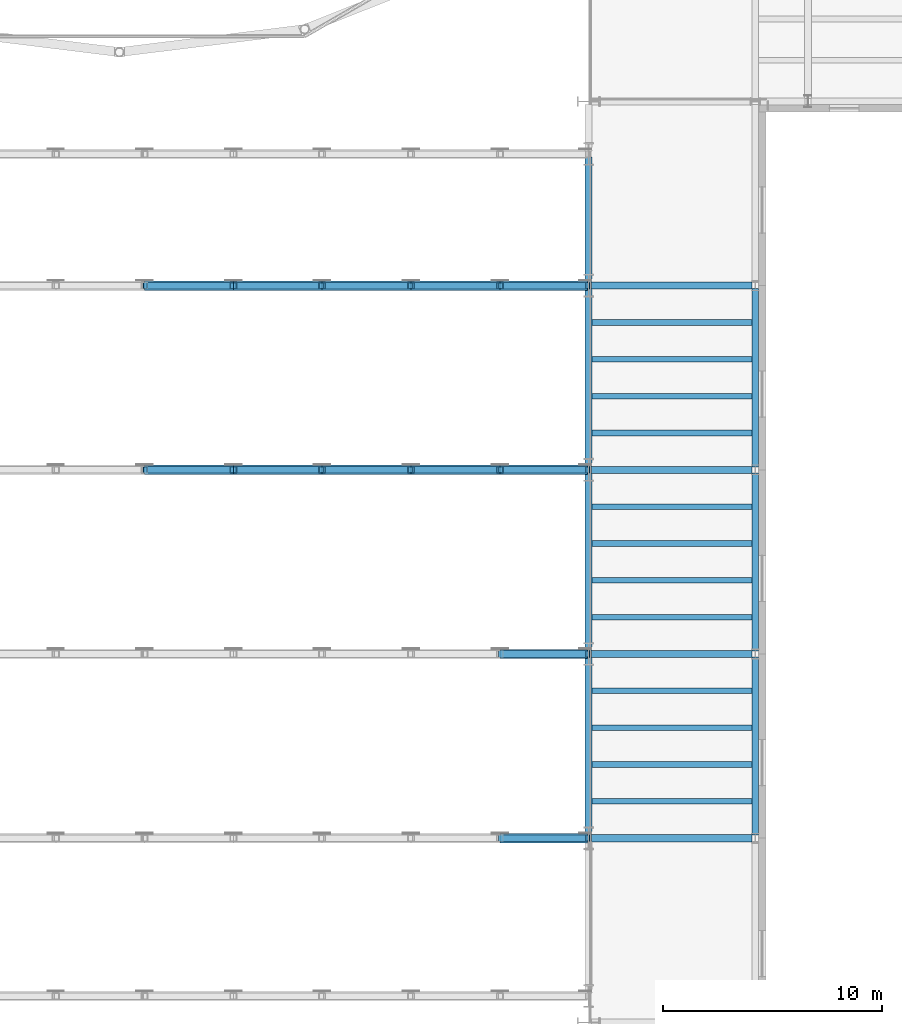
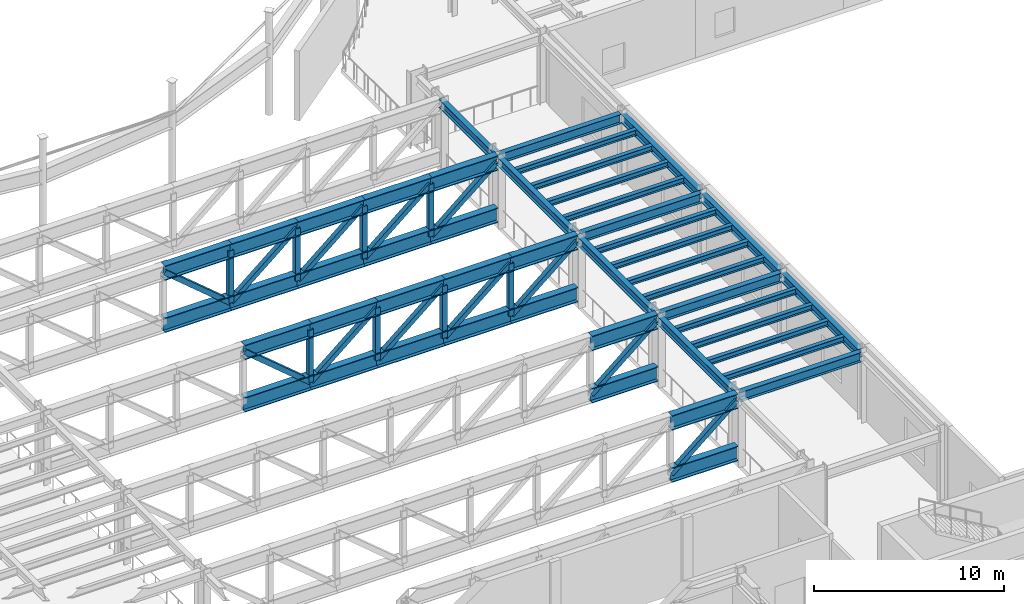
# One storey, part 21 of 91: 47 beams, 20 members.
"""IFC4 building model written with IfcOpenShell, lengths in metres."""

from ifc_helpers import new_model, si_unit, direction, frame, origin, origin_2d, place, context, subcontext, project, spatial, hollow_rectangle, i_section, extrude, material, material_profile, profile_set, type_object, element, save


model = new_model("IFC4")

# Units and contexts
model_context = context("Model", 3, precision=1e-05, world=origin(), true_north=direction((0.0, 1.0)))
body_context = subcontext(model_context, "Body", "Model", "MODEL_VIEW")
ifc_project = project(units=[si_unit("LENGTHUNIT", "METRE"), si_unit("AREAUNIT", "SQUARE_METRE"), si_unit("VOLUMEUNIT", "CUBIC_METRE"), si_unit("PLANEANGLEUNIT", "RADIAN"), si_unit("MASSUNIT", "GRAM", prefix="KILO")], contexts=[model_context])

# Site, building, storey
site_placement = place(None, origin())
site = spatial("IfcSite", under=ifc_project, at=site_placement, CompositionType="ELEMENT")
building_placement = place(site_placement, origin())
building = spatial("IfcBuilding", under=site, at=building_placement, Name="Sollismere Congress Hotel", CompositionType="ELEMENT")
storey_placement = place(building_placement, frame((0.0, 0.0, 10.800048828125)))
storey = spatial("IfcBuildingStorey", under=building, at=storey_placement, Name="L02", CompositionType="ELEMENT", Elevation=10.800048828125)

# Beams
ifc_material_1 = material(Name="Steel ASTM A992 Grade 50", Category="steel")
ifc_material_profile_1 = material_profile(ifc_material_1, i_section(OverallWidth=0.31494140625, OverallDepth=0.551025390625, WebThickness=0.01513671875, FlangeThickness=0.0244140625, at=origin_2d()), Name="W21X122")
ifc_profile_set_1 = profile_set([ifc_material_profile_1], Name="Steel ASTM A992 Grade 50")
beam_type_1 = type_object("IfcBeamType", Name="BM-G21H", PredefinedType="BEAM", material=ifc_profile_set_1)
beam_1_placement = place(storey_placement, frame((50.39990234375, 33.340087890625, 4.224365234375), z_axis=(0.0, 1.0, 0.0), x_axis=(-1.0, 0.0, 0.0)))
element("IfcBeam", 1, at=beam_1_placement, inside=storey, type_object=beam_type_1, Name="Beam BM-L02-2073", PredefinedType="BEAM", context=body_context, shape_type="SweptSolid", body=[
    extrude(i_section(OverallWidth=0.31494140625, OverallDepth=0.551025390625, WebThickness=0.01513671875, FlangeThickness=0.0244140625, at=origin_2d()), origin(), (0.0, 0.0, 1.0), 8.119873046875),
])
for number, where, z_axis, x_axis, name in (
    (2, (50.39990234375, 41.739990234375, 4.224365234375), (0.0, 1.0, 0.0), (-1.0, 0.0, 0.0), "Beam BM-L02-2074"),
    (3, (50.39990234375, 50.139892578125, 4.224365234375), (0.0, 1.0, 0.0), (-1.0, 0.0, 0.0), "Beam BM-L02-2075"),
):
    element("IfcBeam", number, at=place(storey_placement, frame(where, z_axis=z_axis, x_axis=x_axis)), inside=storey, type_object=beam_type_1, Name=name, PredefinedType="BEAM", context=body_context, shape_type="SweptSolid", body=[
        extrude(i_section(OverallWidth=0.31494140625, OverallDepth=0.551025390625, WebThickness=0.01513671875, FlangeThickness=0.0244140625, at=origin_2d()), origin(), (0.0, 0.0, 1.0), 8.1201171875),
    ])
beam_2_placement = place(storey_placement, frame((50.39990234375, 58.5400390625, 4.224365234375), z_axis=(0.0, 1.0, 0.0), x_axis=(-1.0, 0.0, 0.0)))
element("IfcBeam", 4, at=beam_2_placement, inside=storey, type_object=beam_type_1, Name="Beam BM-L02-2076", PredefinedType="BEAM", context=body_context, shape_type="SweptSolid", body=[
    extrude(i_section(OverallWidth=0.31494140625, OverallDepth=0.551025390625, WebThickness=0.01513671875, FlangeThickness=0.0244140625, at=origin_2d()), origin(), (0.0, 0.0, 1.0), 5.719970703125),
])
beam_3_placement = place(storey_placement, frame((58.0, 33.340087890625, 4.224365234375), z_axis=(0.0, 1.0, 0.0), x_axis=(-1.0, 0.0, 0.0)))
element("IfcBeam", 5, at=beam_3_placement, inside=storey, type_object=beam_type_1, Name="Beam BM-L02-2080", PredefinedType="BEAM", context=body_context, shape_type="SweptSolid", body=[
    extrude(i_section(OverallWidth=0.31494140625, OverallDepth=0.551025390625, WebThickness=0.01513671875, FlangeThickness=0.0244140625, at=origin_2d()), origin(), (0.0, 0.0, 1.0), 8.119873046875),
])
for number, where, z_axis, x_axis, name in (
    (6, (58.0, 41.739990234375, 4.224365234375), (0.0, 1.0, 0.0), (-1.0, 0.0, 0.0), "Beam BM-L02-2081"),
    (7, (58.0, 50.139892578125, 4.224365234375), (0.0, 1.0, 0.0), (-1.0, 0.0, 0.0), "Beam BM-L02-2082"),
):
    element("IfcBeam", number, at=place(storey_placement, frame(where, z_axis=z_axis, x_axis=x_axis)), inside=storey, type_object=beam_type_1, Name=name, PredefinedType="BEAM", context=body_context, shape_type="SweptSolid", body=[
        extrude(i_section(OverallWidth=0.31494140625, OverallDepth=0.551025390625, WebThickness=0.01513671875, FlangeThickness=0.0244140625, at=origin_2d()), origin(), (0.0, 0.0, 1.0), 8.1201171875),
    ])
ifc_material_profile_2 = material_profile(ifc_material_1, i_section(OverallWidth=0.324951171875, OverallDepth=0.612060546875, WebThickness=0.0126953125, FlangeThickness=0.01904296875, at=origin_2d()), Name="W24X104")
ifc_profile_set_2 = profile_set([ifc_material_profile_2], Name="Steel ASTM A992 Grade 50")
beam_type_2 = type_object("IfcBeamType", Name="BM-G24", PredefinedType="BEAM", material=ifc_profile_set_2)
for number, where, z_axis, x_axis, name in (
    (8, (50.5400390625, 33.199951171875, 4.19384765625), (1.0, 0.0, 0.0), (0.0, 1.0, 0.0), "Beam BM-L02-2011"),
    (9, (50.5400390625, 41.60009765625, 4.19384765625), (1.0, 0.0, 0.0), (0.0, 1.0, 0.0), "Beam BM-L02-2016"),
    (10, (50.5400390625, 50.0, 4.19384765625), (1.0, 0.0, 0.0), (0.0, 1.0, 0.0), "Beam BM-L02-2019"),
    (11, (50.5400390625, 58.39990234375, 4.19384765625), (1.0, 0.0, 0.0), (0.0, 1.0, 0.0), "Beam BM-L02-2020"),
):
    element("IfcBeam", number, at=place(storey_placement, frame(where, z_axis=z_axis, x_axis=x_axis)), inside=storey, type_object=beam_type_2, Name=name, PredefinedType="BEAM", context=body_context, shape_type="SweptSolid", body=[
        extrude(i_section(OverallWidth=0.324951171875, OverallDepth=0.612060546875, WebThickness=0.0126953125, FlangeThickness=0.01904296875, at=origin_2d()), origin(), (0.0, 0.0, 1.0), 7.320068359375),
    ])
ifc_material_profile_3 = material_profile(ifc_material_1, i_section(OverallWidth=0.25390625, OverallDepth=0.35595703125, WebThickness=0.010498046875, FlangeThickness=0.018310546875, at=origin_2d()), Name="W14X68")
ifc_profile_set_3 = profile_set([ifc_material_profile_3], Name="Steel ASTM A992 Grade 50")
beam_type_3 = type_object("IfcBeamType", Name="BM-J14", PredefinedType="JOIST", material=ifc_profile_set_3)
for number, where, z_axis, x_axis, name in (
    (12, (50.5576171875, 34.8798828125, 4.322021484375), (1.0, 0.0, 0.0), (0.0, 1.0, 0.0), "Beam BM-L02-2174"),
    (13, (50.5576171875, 36.56005859375, 4.322021484375), (1.0, 0.0, 0.0), (0.0, 1.0, 0.0), "Beam BM-L02-2175"),
    (14, (50.5576171875, 38.239990234375, 4.322021484375), (1.0, 0.0, 0.0), (0.0, 1.0, 0.0), "Beam BM-L02-2176"),
    (15, (50.5576171875, 39.919921875, 4.322021484375), (1.0, 0.0, 0.0), (0.0, 1.0, 0.0), "Beam BM-L02-2177"),
    (16, (50.5576171875, 43.280029296875, 4.322021484375), (1.0, 0.0, 0.0), (0.0, 1.0, 0.0), "Beam BM-L02-2178"),
    (17, (50.5576171875, 44.9599609375, 4.322021484375), (1.0, 0.0, 0.0), (0.0, 1.0, 0.0), "Beam BM-L02-2179"),
    (18, (50.5576171875, 46.639892578125, 4.322021484375), (1.0, 0.0, 0.0), (0.0, 1.0, 0.0), "Beam BM-L02-2180"),
    (19, (50.5576171875, 48.320068359375, 4.322021484375), (1.0, 0.0, 0.0), (0.0, 1.0, 0.0), "Beam BM-L02-2181"),
    (20, (50.5576171875, 51.679931640625, 4.322021484375), (1.0, 0.0, 0.0), (0.0, 1.0, 0.0), "Beam BM-L02-2182"),
    (21, (50.5576171875, 53.360107421875, 4.322021484375), (1.0, 0.0, 0.0), (0.0, 1.0, 0.0), "Beam BM-L02-2183"),
    (22, (50.5576171875, 55.0400390625, 4.322021484375), (1.0, 0.0, 0.0), (0.0, 1.0, 0.0), "Beam BM-L02-2184"),
    (23, (50.5576171875, 56.719970703125, 4.322021484375), (1.0, 0.0, 0.0), (0.0, 1.0, 0.0), "Beam BM-L02-2185"),
):
    element("IfcBeam", number, at=place(storey_placement, frame(where, z_axis=z_axis, x_axis=x_axis)), inside=storey, type_object=beam_type_3, Name=name, PredefinedType="JOIST", context=body_context, shape_type="SweptSolid", body=[
        extrude(i_section(OverallWidth=0.25390625, OverallDepth=0.35595703125, WebThickness=0.010498046875, FlangeThickness=0.018310546875, at=origin_2d()), origin(), (0.0, 0.0, 1.0), 7.284912109375),
    ])
ifc_material_profile_4 = material_profile(ifc_material_1, i_section(OverallWidth=0.424072265625, OverallDepth=0.93994140625, WebThickness=0.02392578125, FlangeThickness=0.042724609375, at=origin_2d()), Name="W36X302")
ifc_profile_set_4 = profile_set([ifc_material_profile_4], Name="Steel ASTM A992 Grade 50")
beam_type_4 = type_object("IfcBeamType", Name="BM-TC36", PredefinedType="BEAM", material=ifc_profile_set_4)
for number, where, z_axis, x_axis, name in (
    (24, (46.35009765625, 33.199951171875, 4.030029296875), (1.0, 0.0, 0.0), (0.0, 1.0, 0.0), "Transfer truss chord BM-L02-4078"),
    (25, (46.35009765625, 33.199951171875, 0.679931640625), (1.0, 0.0, 0.0), (0.0, 1.0, 0.0), "Transfer truss chord BM-L02-4079"),
    (26, (46.35009765625, 41.60009765625, 4.030029296875), (1.0, 0.0, 0.0), (0.0, 1.0, 0.0), "Transfer truss chord BM-L02-4094"),
    (27, (46.35009765625, 41.60009765625, 0.679931640625), (1.0, 0.0, 0.0), (0.0, 1.0, 0.0), "Transfer truss chord BM-L02-4095"),
):
    element("IfcBeam", number, at=place(storey_placement, frame(where, z_axis=z_axis, x_axis=x_axis)), inside=storey, type_object=beam_type_4, Name=name, PredefinedType="BEAM", context=body_context, shape_type="SweptSolid", body=[
        extrude(i_section(OverallWidth=0.424072265625, OverallDepth=0.93994140625, WebThickness=0.02392578125, FlangeThickness=0.042724609375, at=origin_2d()), origin(), (0.0, 0.0, 1.0), 4.010009765625),
    ])
for number, where, z_axis, x_axis, name in (
    (28, (30.14990234375, 50.0, 4.030029296875), (1.0, 0.0, 0.0), (0.0, 1.0, 0.0), "Transfer truss chord BM-L02-4102"),
    (29, (30.14990234375, 50.0, 0.679931640625), (1.0, 0.0, 0.0), (0.0, 1.0, 0.0), "Transfer truss chord BM-L02-4103"),
    (30, (34.199951171875, 50.0, 4.030029296875), (1.0, 0.0, 0.0), (0.0, 1.0, 0.0), "Transfer truss chord BM-L02-4104"),
    (31, (34.199951171875, 50.0, 0.679931640625), (1.0, 0.0, 0.0), (0.0, 1.0, 0.0), "Transfer truss chord BM-L02-4105"),
    (32, (38.25, 50.0, 4.030029296875), (1.0, 0.0, 0.0), (0.0, 1.0, 0.0), "Transfer truss chord BM-L02-4106"),
    (33, (38.25, 50.0, 0.679931640625), (1.0, 0.0, 0.0), (0.0, 1.0, 0.0), "Transfer truss chord BM-L02-4107"),
    (34, (42.300048828125, 50.0, 4.030029296875), (1.0, 0.0, 0.0), (0.0, 1.0, 0.0), "Transfer truss chord BM-L02-4108"),
    (35, (42.300048828125, 50.0, 0.679931640625), (1.0, 0.0, 0.0), (0.0, 1.0, 0.0), "Transfer truss chord BM-L02-4109"),
):
    element("IfcBeam", number, at=place(storey_placement, frame(where, z_axis=z_axis, x_axis=x_axis)), inside=storey, type_object=beam_type_4, Name=name, PredefinedType="BEAM", context=body_context, shape_type="SweptSolid", body=[
        extrude(i_section(OverallWidth=0.424072265625, OverallDepth=0.93994140625, WebThickness=0.02392578125, FlangeThickness=0.042724609375, at=origin_2d()), origin(), (0.0, 0.0, 1.0), 4.050048828125),
    ])
for number, where, z_axis, x_axis, name in (
    (36, (46.35009765625, 50.0, 4.030029296875), (1.0, 0.0, 0.0), (0.0, 1.0, 0.0), "Transfer truss chord BM-L02-4110"),
    (37, (46.35009765625, 50.0, 0.679931640625), (1.0, 0.0, 0.0), (0.0, 1.0, 0.0), "Transfer truss chord BM-L02-4111"),
):
    element("IfcBeam", number, at=place(storey_placement, frame(where, z_axis=z_axis, x_axis=x_axis)), inside=storey, type_object=beam_type_4, Name=name, PredefinedType="BEAM", context=body_context, shape_type="SweptSolid", body=[
        extrude(i_section(OverallWidth=0.424072265625, OverallDepth=0.93994140625, WebThickness=0.02392578125, FlangeThickness=0.042724609375, at=origin_2d()), origin(), (0.0, 0.0, 1.0), 4.010009765625),
    ])
for number, where, z_axis, x_axis, name in (
    (38, (30.14990234375, 58.39990234375, 4.030029296875), (1.0, 0.0, 0.0), (0.0, 1.0, 0.0), "Transfer truss chord BM-L02-4118"),
    (39, (30.14990234375, 58.39990234375, 0.679931640625), (1.0, 0.0, 0.0), (0.0, 1.0, 0.0), "Transfer truss chord BM-L02-4119"),
    (40, (34.199951171875, 58.39990234375, 4.030029296875), (1.0, 0.0, 0.0), (0.0, 1.0, 0.0), "Transfer truss chord BM-L02-4120"),
    (41, (34.199951171875, 58.39990234375, 0.679931640625), (1.0, 0.0, 0.0), (0.0, 1.0, 0.0), "Transfer truss chord BM-L02-4121"),
    (42, (38.25, 58.39990234375, 4.030029296875), (1.0, 0.0, 0.0), (0.0, 1.0, 0.0), "Transfer truss chord BM-L02-4122"),
    (43, (38.25, 58.39990234375, 0.679931640625), (1.0, 0.0, 0.0), (0.0, 1.0, 0.0), "Transfer truss chord BM-L02-4123"),
    (44, (42.300048828125, 58.39990234375, 4.030029296875), (1.0, 0.0, 0.0), (0.0, 1.0, 0.0), "Transfer truss chord BM-L02-4124"),
    (45, (42.300048828125, 58.39990234375, 0.679931640625), (1.0, 0.0, 0.0), (0.0, 1.0, 0.0), "Transfer truss chord BM-L02-4125"),
):
    element("IfcBeam", number, at=place(storey_placement, frame(where, z_axis=z_axis, x_axis=x_axis)), inside=storey, type_object=beam_type_4, Name=name, PredefinedType="BEAM", context=body_context, shape_type="SweptSolid", body=[
        extrude(i_section(OverallWidth=0.424072265625, OverallDepth=0.93994140625, WebThickness=0.02392578125, FlangeThickness=0.042724609375, at=origin_2d()), origin(), (0.0, 0.0, 1.0), 4.050048828125),
    ])
for number, where, z_axis, x_axis, name in (
    (46, (46.35009765625, 58.39990234375, 4.030029296875), (1.0, 0.0, 0.0), (0.0, 1.0, 0.0), "Transfer truss chord BM-L02-4126"),
    (47, (46.35009765625, 58.39990234375, 0.679931640625), (1.0, 0.0, 0.0), (0.0, 1.0, 0.0), "Transfer truss chord BM-L02-4127"),
):
    element("IfcBeam", number, at=place(storey_placement, frame(where, z_axis=z_axis, x_axis=x_axis)), inside=storey, type_object=beam_type_4, Name=name, PredefinedType="BEAM", context=body_context, shape_type="SweptSolid", body=[
        extrude(i_section(OverallWidth=0.424072265625, OverallDepth=0.93994140625, WebThickness=0.02392578125, FlangeThickness=0.042724609375, at=origin_2d()), origin(), (0.0, 0.0, 1.0), 4.010009765625),
    ])

# Members
ifc_material_2 = material(Name="Steel ASTM A500 Grade C", Category="steel")
ifc_material_profile_5 = material_profile(ifc_material_2, hollow_rectangle(XDim=0.300048828125, YDim=0.300048828125, WallThickness=0.011962890625, at=origin_2d()), Name="HSS300X300X12")
ifc_profile_set_5 = profile_set([ifc_material_profile_5], Name="Steel ASTM A500 Grade C")
member_type_1 = type_object("IfcMemberType", Name="MB-BR300", PredefinedType="BRACE", material=ifc_profile_set_5)
for number, where, z_axis, x_axis, name in (
    (48, (46.3798828125, 33.199951171875, 0.679931640625), (0.765069376862, 0.0, 0.6439478617), (0.0, 1.0, 0.0), "MBT-28 diagonal brace"),
    (49, (46.3798828125, 41.60009765625, 0.679931640625), (0.765069376862, 0.0, 0.6439478617), (0.0, 1.0, 0.0), "MBT-38 diagonal brace"),
):
    element("IfcMember", number, at=place(storey_placement, frame(where, z_axis=z_axis, x_axis=x_axis)), inside=storey, type_object=member_type_1, Name=name, PredefinedType="BRACE", context=body_context, shape_type="SweptSolid", body=[
        extrude(hollow_rectangle(XDim=0.300048828125, YDim=0.300048828125, WallThickness=0.011962890625, at=origin_2d()), origin(), (0.0, 0.0, 1.0), 5.202392578125),
    ])
for number, where, z_axis, x_axis, name in (
    (50, (30.179931640625, 50.0, 4.030029296875), (0.765846088126, 0.0, -0.643023925917), (0.0, 1.0, 0.0), "MBT-44 diagonal brace"),
    (51, (34.22998046875, 50.0, 0.679931640625), (0.765846088126, 0.0, 0.643023925917), (0.0, 1.0, 0.0), "MBT-45 diagonal brace"),
    (52, (38.280029296875, 50.0, 0.679931640625), (0.765846088126, 0.0, 0.643023925917), (0.0, 1.0, 0.0), "MBT-46 diagonal brace"),
    (53, (42.330078125, 50.0, 0.679931640625), (0.765846088126, 0.0, 0.643023925917), (0.0, 1.0, 0.0), "MBT-47 diagonal brace"),
):
    element("IfcMember", number, at=place(storey_placement, frame(where, z_axis=z_axis, x_axis=x_axis)), inside=storey, type_object=member_type_1, Name=name, PredefinedType="BRACE", context=body_context, shape_type="SweptSolid", body=[
        extrude(hollow_rectangle(XDim=0.300048828125, YDim=0.300048828125, WallThickness=0.011962890625, at=origin_2d()), origin(), (0.0, 0.0, 1.0), 5.2099609375),
    ])
member_1_placement = place(storey_placement, frame((46.3798828125, 50.0, 0.679931640625), z_axis=(0.765069376862, 0.0, 0.6439478617), x_axis=(0.0, 1.0, 0.0)))
element("IfcMember", 54, at=member_1_placement, inside=storey, type_object=member_type_1, Name="MBT-48 diagonal brace", PredefinedType="BRACE", context=body_context, shape_type="SweptSolid", body=[
    extrude(hollow_rectangle(XDim=0.300048828125, YDim=0.300048828125, WallThickness=0.011962890625, at=origin_2d()), origin(), (0.0, 0.0, 1.0), 5.202392578125),
])
for number, where, z_axis, x_axis, name in (
    (55, (30.179931640625, 58.39990234375, 4.030029296875), (0.765846088126, 0.0, -0.643023925917), (0.0, 1.0, 0.0), "MBT-54 diagonal brace"),
    (56, (34.22998046875, 58.39990234375, 0.679931640625), (0.765846088126, 0.0, 0.643023925917), (0.0, 1.0, 0.0), "MBT-55 diagonal brace"),
    (57, (38.280029296875, 58.39990234375, 0.679931640625), (0.765846088126, 0.0, 0.643023925917), (0.0, 1.0, 0.0), "MBT-56 diagonal brace"),
    (58, (42.330078125, 58.39990234375, 0.679931640625), (0.765846088126, 0.0, 0.643023925917), (0.0, 1.0, 0.0), "MBT-57 diagonal brace"),
):
    element("IfcMember", number, at=place(storey_placement, frame(where, z_axis=z_axis, x_axis=x_axis)), inside=storey, type_object=member_type_1, Name=name, PredefinedType="BRACE", context=body_context, shape_type="SweptSolid", body=[
        extrude(hollow_rectangle(XDim=0.300048828125, YDim=0.300048828125, WallThickness=0.011962890625, at=origin_2d()), origin(), (0.0, 0.0, 1.0), 5.2099609375),
    ])
member_2_placement = place(storey_placement, frame((46.3798828125, 58.39990234375, 0.679931640625), z_axis=(0.765069376862, 0.0, 0.6439478617), x_axis=(0.0, 1.0, 0.0)))
element("IfcMember", 59, at=member_2_placement, inside=storey, type_object=member_type_1, Name="MBT-58 diagonal brace", PredefinedType="BRACE", context=body_context, shape_type="SweptSolid", body=[
    extrude(hollow_rectangle(XDim=0.300048828125, YDim=0.300048828125, WallThickness=0.011962890625, at=origin_2d()), origin(), (0.0, 0.0, 1.0), 5.202392578125),
])
ifc_material_profile_6 = material_profile(ifc_material_2, hollow_rectangle(XDim=0.300048828125, YDim=0.300048828125, WallThickness=0.011962890625, at=origin_2d()), Name="HSS300X300X12")
ifc_profile_set_6 = profile_set([ifc_material_profile_6], Name="Steel ASTM A500 Grade C")
member_type_2 = type_object("IfcMemberType", Name="MB-ST300", PredefinedType="STRUT", material=ifc_profile_set_6)
for number, where, z_axis, x_axis, name in (
    (60, (34.199951171875, 50.0, 0.679931640625), (0.0, 0.0, 1.0), (1.0, 0.0, 0.0), "MVT-44 transfer truss strut"),
    (61, (38.25, 50.0, 0.679931640625), (0.0, 0.0, 1.0), (1.0, 0.0, 0.0), "MVT-45 transfer truss strut"),
    (62, (42.300048828125, 50.0, 0.679931640625), (0.0, 0.0, 1.0), (1.0, 0.0, 0.0), "MVT-46 transfer truss strut"),
    (63, (46.35009765625, 50.0, 0.679931640625), (0.0, 0.0, 1.0), (1.0, 0.0, 0.0), "MVT-47 transfer truss strut"),
    (64, (34.199951171875, 58.39990234375, 0.679931640625), (0.0, 0.0, 1.0), (1.0, 0.0, 0.0), "MVT-54 transfer truss strut"),
    (65, (38.25, 58.39990234375, 0.679931640625), (0.0, 0.0, 1.0), (1.0, 0.0, 0.0), "MVT-55 transfer truss strut"),
    (66, (42.300048828125, 58.39990234375, 0.679931640625), (0.0, 0.0, 1.0), (1.0, 0.0, 0.0), "MVT-56 transfer truss strut"),
    (67, (46.35009765625, 58.39990234375, 0.679931640625), (0.0, 0.0, 1.0), (1.0, 0.0, 0.0), "MVT-57 transfer truss strut"),
):
    element("IfcMember", number, at=place(storey_placement, frame(where, z_axis=z_axis, x_axis=x_axis)), inside=storey, type_object=member_type_2, Name=name, PredefinedType="STRUT", context=body_context, shape_type="SweptSolid", body=[
        extrude(hollow_rectangle(XDim=0.300048828125, YDim=0.300048828125, WallThickness=0.011962890625, at=origin_2d()), origin(), (0.0, 0.0, 1.0), 3.35009765625),
    ])

save(model, "model.ifc")
